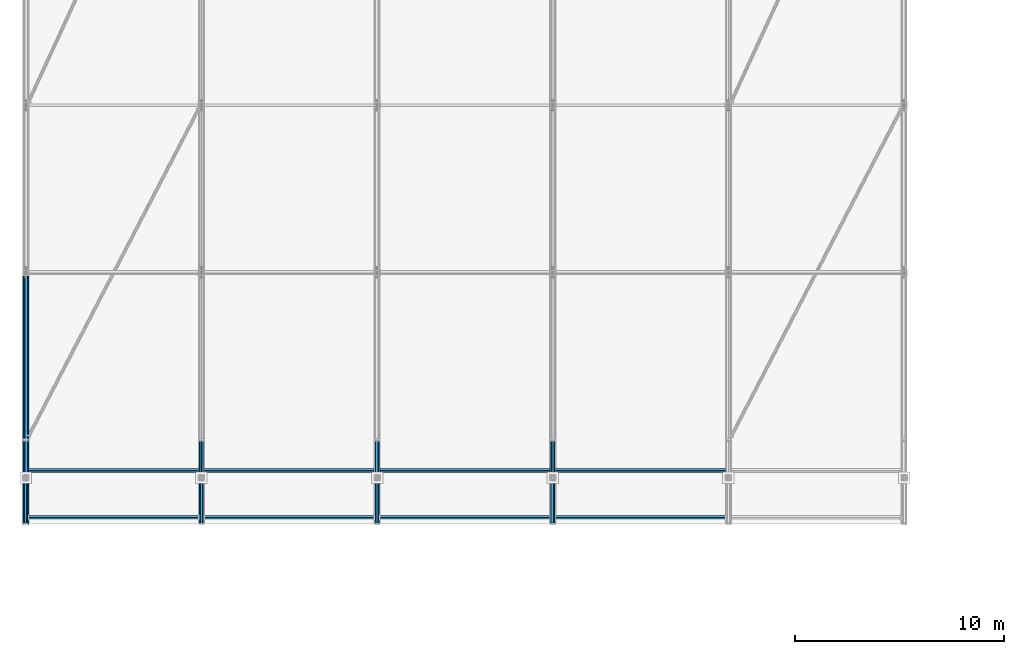
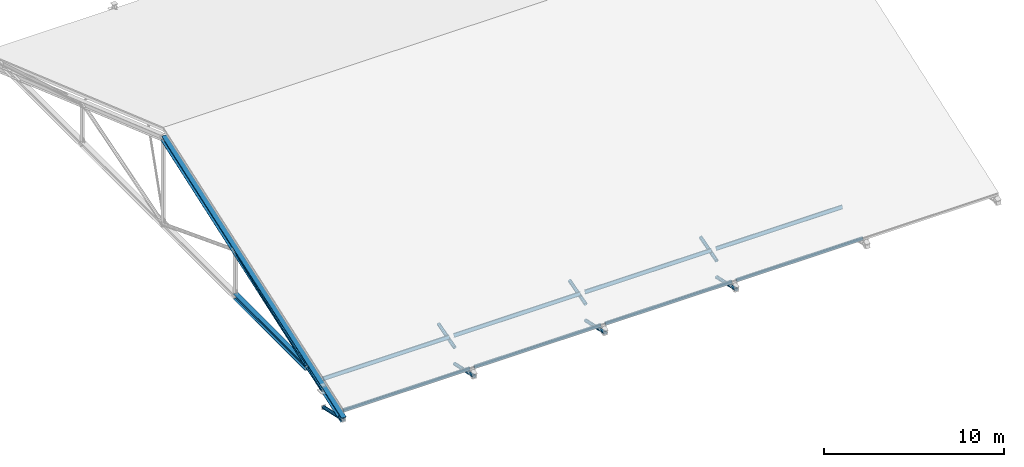
# One storey, part 3 of 57: 18 members, 1 beam.
"""IFC4 building model written with IfcOpenShell, lengths in metres."""

from ifc_helpers import new_model, si_unit, direction, frame, origin, origin_2d, place, context, subcontext, project, spatial, hollow_rectangle, hollow_circle, i_section, extrude, material, material_profile, profile_set, type_object, element, save


model = new_model("IFC4")

# Units and contexts
model_context = context("Model", 3, precision=1e-05, world=origin(), true_north=direction((0.0, 1.0)))
body_context = subcontext(model_context, "Body", "Model", "MODEL_VIEW")
ifc_project = project(units=[si_unit("LENGTHUNIT", "METRE"), si_unit("AREAUNIT", "SQUARE_METRE"), si_unit("VOLUMEUNIT", "CUBIC_METRE"), si_unit("PLANEANGLEUNIT", "RADIAN"), si_unit("MASSUNIT", "GRAM", prefix="KILO")], contexts=[model_context])

# Site, building, storey
site_placement = place(None, origin())
site = spatial("IfcSite", under=ifc_project, at=site_placement, CompositionType="ELEMENT")
building_placement = place(site_placement, origin())
building = spatial("IfcBuilding", under=site, at=building_placement, Name="Kelarvand Opera House", CompositionType="ELEMENT")
storey_placement = place(building_placement, frame((0.0, 0.0, 33.60009765625)))
storey = spatial("IfcBuildingStorey", under=building, at=storey_placement, Name="Roof", CompositionType="ELEMENT", Elevation=33.60009765625)

# Members
ifc_material = material(Name="Steel S355", Category="steel")
ifc_material_profile_1 = material_profile(ifc_material, hollow_circle(Radius=0.109619140625, WallThickness=0.010009765625, at=origin_2d()), Name="CHS 219.1x10.0", Category="steel")
ifc_profile_set_1 = profile_set([ifc_material_profile_1], Name="Steel S355")
member_type_1 = type_object("IfcMemberType", Name="Structural Brace CHS 219.1x10.0 BR-CHS219", PredefinedType="BRACE", material=ifc_profile_set_1)
member_1_placement = place(storey_placement, frame((9.0, 87.199951171875, -15.2001953125), z_axis=(0.0, -0.975388459832, 0.220493429439), x_axis=(1.0, 0.0, 0.0)))
element("IfcMember", 1, at=member_1_placement, inside=storey, type_object=member_type_1, Name="V3 Roof Truss 1 Eave Knee Brace S", PredefinedType="BRACE", context=body_context, shape_type="SweptSolid", body=[
    extrude(hollow_circle(Radius=0.109619140625, WallThickness=0.010009765625, at=origin_2d()), origin(), (0.0, 0.0, 1.0), 2.25537109375),
])
member_2_placement = place(storey_placement, frame((9.0, 87.199951171875, -14.10009765625), z_axis=(0.0, 0.960713410768, 0.277542325368), x_axis=(-1.0, 0.0, 0.0)))
element("IfcMember", 2, at=member_2_placement, inside=storey, type_object=member_type_1, Name="V3 Roof Truss 1 Support Tie S", PredefinedType="BRACE", context=body_context, shape_type="SweptSolid", body=[
    extrude(hollow_circle(Radius=0.109619140625, WallThickness=0.010009765625, at=origin_2d()), origin(), (0.0, 0.0, 1.0), 1.873779296875),
])
member_3_placement = place(storey_placement, frame((9.0, 89.0, -13.580078125), z_axis=(0.0, 0.933336796692, 0.3590019832), x_axis=(-1.0, 0.0, 0.0)))
element("IfcMember", 3, at=member_3_placement, inside=storey, type_object=member_type_1, Name="V3 Roof Truss 1 Web Diagonal 1", PredefinedType="BRACE", context=body_context, shape_type="SweptSolid", body=[
    extrude(hollow_circle(Radius=0.109619140625, WallThickness=0.010009765625, at=origin_2d()), origin(), (0.0, 0.0, 1.0), 8.5712890625),
])
member_4_placement = place(storey_placement, frame((17.39990234375, 87.199951171875, -15.2001953125), z_axis=(0.0, -0.975388459832, 0.220493429439), x_axis=(1.0, 0.0, 0.0)))
element("IfcMember", 4, at=member_4_placement, inside=storey, type_object=member_type_1, Name="V3 Roof Truss 2 Eave Knee Brace S", PredefinedType="BRACE", context=body_context, shape_type="SweptSolid", body=[
    extrude(hollow_circle(Radius=0.109619140625, WallThickness=0.010009765625, at=origin_2d()), origin(), (0.0, 0.0, 1.0), 2.25537109375),
])
member_5_placement = place(storey_placement, frame((17.39990234375, 87.199951171875, -14.10009765625), z_axis=(0.0, 0.960713410768, 0.277542325368), x_axis=(-1.0, 0.0, 0.0)))
element("IfcMember", 5, at=member_5_placement, inside=storey, type_object=member_type_1, Name="V3 Roof Truss 2 Support Tie S", PredefinedType="BRACE", context=body_context, shape_type="SweptSolid", body=[
    extrude(hollow_circle(Radius=0.109619140625, WallThickness=0.010009765625, at=origin_2d()), origin(), (0.0, 0.0, 1.0), 1.873779296875),
])
member_6_placement = place(storey_placement, frame((25.800048828125, 87.199951171875, -15.2001953125), z_axis=(0.0, -0.975388459832, 0.220493429439), x_axis=(1.0, 0.0, 0.0)))
element("IfcMember", 6, at=member_6_placement, inside=storey, type_object=member_type_1, Name="V3 Roof Truss 3 Eave Knee Brace S", PredefinedType="BRACE", context=body_context, shape_type="SweptSolid", body=[
    extrude(hollow_circle(Radius=0.109619140625, WallThickness=0.010009765625, at=origin_2d()), origin(), (0.0, 0.0, 1.0), 2.25537109375),
])
member_7_placement = place(storey_placement, frame((25.800048828125, 87.199951171875, -14.10009765625), z_axis=(0.0, 0.960713410768, 0.277542325368), x_axis=(-1.0, 0.0, 0.0)))
element("IfcMember", 7, at=member_7_placement, inside=storey, type_object=member_type_1, Name="V3 Roof Truss 3 Support Tie S", PredefinedType="BRACE", context=body_context, shape_type="SweptSolid", body=[
    extrude(hollow_circle(Radius=0.109619140625, WallThickness=0.010009765625, at=origin_2d()), origin(), (0.0, 0.0, 1.0), 1.873779296875),
])
member_8_placement = place(storey_placement, frame((34.199951171875, 87.199951171875, -15.2001953125), z_axis=(0.0, -0.975388459832, 0.220493429439), x_axis=(1.0, 0.0, 0.0)))
element("IfcMember", 8, at=member_8_placement, inside=storey, type_object=member_type_1, Name="V3 Roof Truss 4 Eave Knee Brace S", PredefinedType="BRACE", context=body_context, shape_type="SweptSolid", body=[
    extrude(hollow_circle(Radius=0.109619140625, WallThickness=0.010009765625, at=origin_2d()), origin(), (0.0, 0.0, 1.0), 2.25537109375),
])
member_9_placement = place(storey_placement, frame((34.199951171875, 87.199951171875, -14.10009765625), z_axis=(0.0, 0.960713410768, 0.277542325368), x_axis=(-1.0, 0.0, 0.0)))
element("IfcMember", 9, at=member_9_placement, inside=storey, type_object=member_type_1, Name="V3 Roof Truss 4 Support Tie S", PredefinedType="BRACE", context=body_context, shape_type="SweptSolid", body=[
    extrude(hollow_circle(Radius=0.109619140625, WallThickness=0.010009765625, at=origin_2d()), origin(), (0.0, 0.0, 1.0), 1.873779296875),
])
ifc_material_profile_2 = material_profile(ifc_material, i_section(OverallWidth=0.300048828125, OverallDepth=0.360107421875, WebThickness=0.012451171875, FlangeThickness=0.0224609375, at=origin_2d()), Name="HEB 360", Category="steel")
ifc_profile_set_2 = profile_set([ifc_material_profile_2], Name="Steel S355")
member_type_2 = type_object("IfcMemberType", Name="Structural Chord HEB 360 CH-HEB360", PredefinedType="CHORD", material=ifc_profile_set_2)
member_10_placement = place(storey_placement, frame((9.0, 89.0, -13.580078125), z_axis=(0.0, 1.0, 0.0), x_axis=(-1.0, 0.0, 0.0)))
element("IfcMember", 10, at=member_10_placement, inside=storey, type_object=member_type_2, Name="V3 Roof Truss 1 Bottom Chord 1", PredefinedType="CHORD", context=body_context, shape_type="SweptSolid", body=[
    extrude(i_section(OverallWidth=0.300048828125, OverallDepth=0.360107421875, WebThickness=0.012451171875, FlangeThickness=0.0224609375, at=origin_2d()), origin(), (0.0, 0.0, 1.0), 8.0),
])
ifc_material_profile_3 = material_profile(ifc_material, i_section(OverallWidth=0.1201171875, OverallDepth=0.239990234375, WebThickness=0.006103515625, FlangeThickness=0.009765625, at=origin_2d()), Name="IPE 240", Category="steel")
ifc_profile_set_3 = profile_set([ifc_material_profile_3], Name="Steel S355")
member_type_3 = type_object("IfcMemberType", Name="Structural Purlin IPE 240 PR-IPE240", PredefinedType="PURLIN", material=ifc_profile_set_3)
member_11_placement = place(storey_placement, frame((9.139892578125, 87.550048828125, -13.534423828125), z_axis=(1.0, 0.0, 0.0), x_axis=(0.0, 0.943858622852, -0.330349663339)))
element("IfcMember", 11, at=member_11_placement, inside=storey, type_object=member_type_3, Name="V3 Roof Purlin 1.2", PredefinedType="PURLIN", context=body_context, shape_type="SweptSolid", body=[
    extrude(i_section(OverallWidth=0.1201171875, OverallDepth=0.239990234375, WebThickness=0.006103515625, FlangeThickness=0.009765625, at=origin_2d()), origin(), (0.0, 0.0, 1.0), 8.1201171875),
])
member_12_placement = place(storey_placement, frame((17.5400390625, 87.550048828125, -13.534423828125), z_axis=(1.0, 0.0, 0.0), x_axis=(0.0, 0.943858622852, -0.330349663339)))
element("IfcMember", 12, at=member_12_placement, inside=storey, type_object=member_type_3, Name="V3 Roof Purlin 2.2", PredefinedType="PURLIN", context=body_context, shape_type="SweptSolid", body=[
    extrude(i_section(OverallWidth=0.1201171875, OverallDepth=0.239990234375, WebThickness=0.006103515625, FlangeThickness=0.009765625, at=origin_2d()), origin(), (0.0, 0.0, 1.0), 8.119873046875),
])
member_13_placement = place(storey_placement, frame((25.93994140625, 87.550048828125, -13.534423828125), z_axis=(1.0, 0.0, 0.0), x_axis=(0.0, 0.943858622852, -0.330349663339)))
element("IfcMember", 13, at=member_13_placement, inside=storey, type_object=member_type_3, Name="V3 Roof Purlin 3.2", PredefinedType="PURLIN", context=body_context, shape_type="SweptSolid", body=[
    extrude(i_section(OverallWidth=0.1201171875, OverallDepth=0.239990234375, WebThickness=0.006103515625, FlangeThickness=0.009765625, at=origin_2d()), origin(), (0.0, 0.0, 1.0), 8.1201171875),
])
member_14_placement = place(storey_placement, frame((34.340087890625, 87.550048828125, -13.534423828125), z_axis=(1.0, 0.0, 0.0), x_axis=(0.0, 0.943858622852, -0.330349663339)))
element("IfcMember", 14, at=member_14_placement, inside=storey, type_object=member_type_3, Name="V3 Roof Purlin 4.2", PredefinedType="PURLIN", context=body_context, shape_type="SweptSolid", body=[
    extrude(i_section(OverallWidth=0.1201171875, OverallDepth=0.239990234375, WebThickness=0.006103515625, FlangeThickness=0.009765625, at=origin_2d()), origin(), (0.0, 0.0, 1.0), 8.119873046875),
])
ifc_material_profile_4 = material_profile(ifc_material, hollow_rectangle(XDim=0.10009765625, YDim=0.199951171875, WallThickness=0.008056640625, at=origin_2d()), Name="RHS 200x100x8.0", Category="steel")
ifc_profile_set_4 = profile_set([ifc_material_profile_4], Name="Steel S355")
member_type_4 = type_object("IfcMemberType", Name="Structural Purlin RHS 200x100x8.0 PR-RHS200E", PredefinedType="PURLIN", material=ifc_profile_set_4)
member_15_placement = place(storey_placement, frame((9.139892578125, 85.300048828125, -14.2998046875), z_axis=(1.0, 0.0, 0.0), x_axis=(0.0, 0.943858622852, -0.330349663339)))
element("IfcMember", 15, at=member_15_placement, inside=storey, type_object=member_type_4, Name="V3 Roof Purlin 1.1", PredefinedType="PURLIN", context=body_context, shape_type="SweptSolid", body=[
    extrude(hollow_rectangle(XDim=0.10009765625, YDim=0.199951171875, WallThickness=0.008056640625, at=origin_2d()), origin(), (0.0, 0.0, 1.0), 8.1201171875),
])
member_16_placement = place(storey_placement, frame((17.5400390625, 85.300048828125, -14.2998046875), z_axis=(1.0, 0.0, 0.0), x_axis=(0.0, 0.943858622852, -0.330349663339)))
element("IfcMember", 16, at=member_16_placement, inside=storey, type_object=member_type_4, Name="V3 Roof Purlin 2.1", PredefinedType="PURLIN", context=body_context, shape_type="SweptSolid", body=[
    extrude(hollow_rectangle(XDim=0.10009765625, YDim=0.199951171875, WallThickness=0.008056640625, at=origin_2d()), origin(), (0.0, 0.0, 1.0), 8.119873046875),
])
member_17_placement = place(storey_placement, frame((25.93994140625, 85.300048828125, -14.2998046875), z_axis=(1.0, 0.0, 0.0), x_axis=(0.0, 0.943858622852, -0.330349663339)))
element("IfcMember", 17, at=member_17_placement, inside=storey, type_object=member_type_4, Name="V3 Roof Purlin 3.1", PredefinedType="PURLIN", context=body_context, shape_type="SweptSolid", body=[
    extrude(hollow_rectangle(XDim=0.10009765625, YDim=0.199951171875, WallThickness=0.008056640625, at=origin_2d()), origin(), (0.0, 0.0, 1.0), 8.1201171875),
])
member_18_placement = place(storey_placement, frame((34.340087890625, 85.300048828125, -14.2998046875), z_axis=(1.0, 0.0, 0.0), x_axis=(0.0, 0.943858622852, -0.330349663339)))
element("IfcMember", 18, at=member_18_placement, inside=storey, type_object=member_type_4, Name="V3 Roof Purlin 4.1", PredefinedType="PURLIN", context=body_context, shape_type="SweptSolid", body=[
    extrude(hollow_rectangle(XDim=0.10009765625, YDim=0.199951171875, WallThickness=0.008056640625, at=origin_2d()), origin(), (0.0, 0.0, 1.0), 8.119873046875),
])

# Beam
ifc_material_profile_5 = material_profile(ifc_material, i_section(OverallWidth=0.300048828125, OverallDepth=0.360107421875, WebThickness=0.012451171875, FlangeThickness=0.0224609375, at=origin_2d()), Name="HEB 360", Category="steel")
ifc_profile_set_5 = profile_set([ifc_material_profile_5], Name="Steel S355")
beam_type = type_object("IfcBeamType", Name="Structural Roof Truss HEB 360 RT-HEB360", PredefinedType="USERDEFINED", material=ifc_profile_set_5)
beam_placement = place(storey_placement, frame((9.0, 85.0, -14.702880859375), z_axis=(0.0, 0.943858356366, 0.330350424728), x_axis=(-1.0, 0.0, 0.0)))
element("IfcBeam", 19, at=beam_placement, inside=storey, type_object=beam_type, Name="V3 Roof Truss 1 Top Chord Rafter 1", ObjectType="ROOF TRUSS", PredefinedType="USERDEFINED", context=body_context, shape_type="SweptSolid", body=[
    extrude(i_section(OverallWidth=0.300048828125, OverallDepth=0.360107421875, WebThickness=0.012451171875, FlangeThickness=0.0224609375, at=origin_2d()), origin(), (0.0, 0.0, 1.0), 21.189697265625),
])

save(model, "model.ifc")
